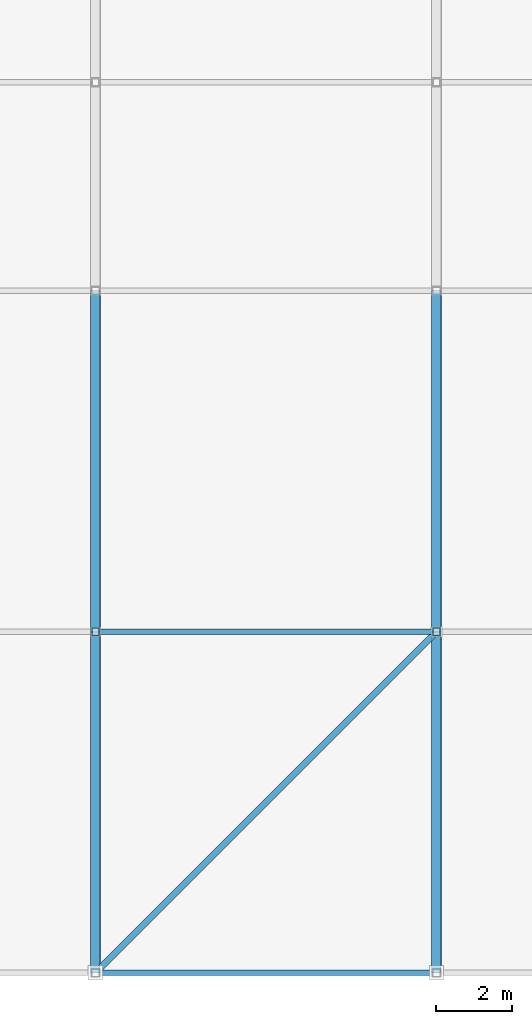
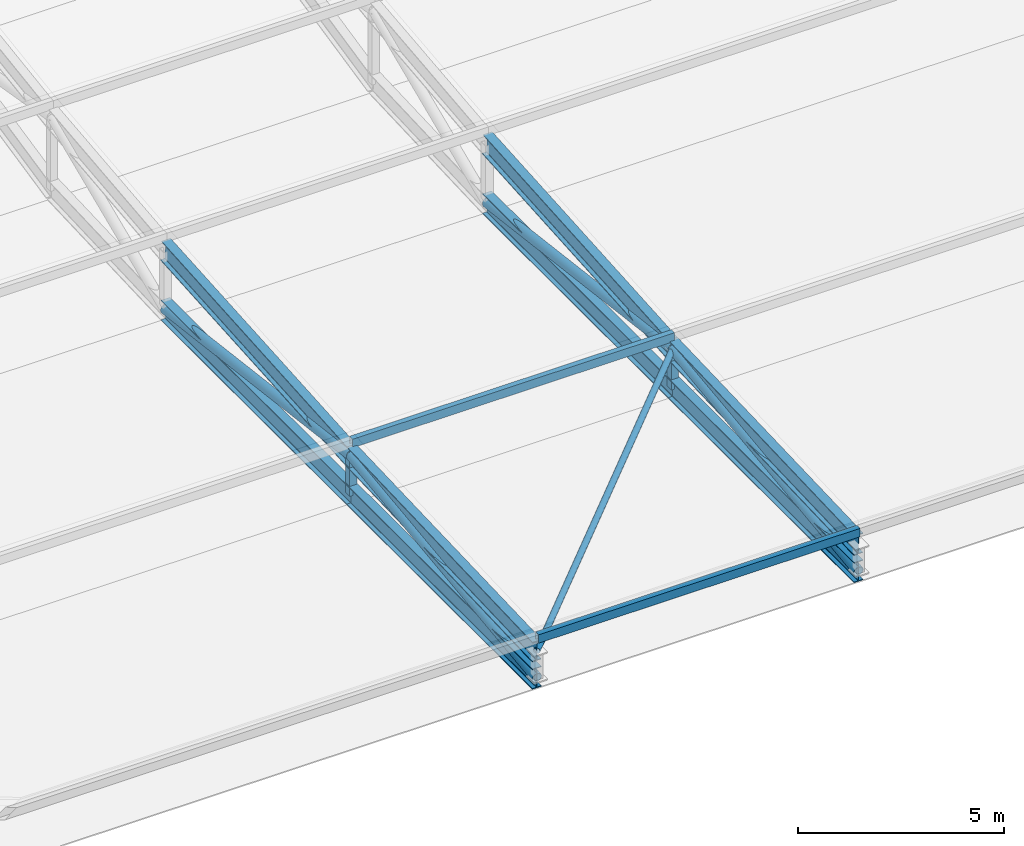
# One storey, part 18 of 114: 9 members, 8 beams.
"""IFC4 building model written with IfcOpenShell, lengths in metres."""

from ifc_helpers import new_model, si_unit, direction, frame, origin, origin_2d, place, context, subcontext, project, spatial, hollow_rectangle, hollow_circle, i_section, extrude, material, material_profile, profile_set, type_object, element, save


model = new_model("IFC4")

# Units and contexts
model_context = context("Model", 3, precision=1e-05, world=origin(), true_north=direction((0.0, 1.0)))
body_context = subcontext(model_context, "Body", "Model", "MODEL_VIEW")
ifc_project = project(units=[si_unit("LENGTHUNIT", "METRE"), si_unit("AREAUNIT", "SQUARE_METRE"), si_unit("VOLUMEUNIT", "CUBIC_METRE"), si_unit("PLANEANGLEUNIT", "RADIAN"), si_unit("MASSUNIT", "GRAM", prefix="KILO"), si_unit("THERMODYNAMICTEMPERATUREUNIT", "KELVIN"), si_unit("POWERUNIT", "WATT")], contexts=[model_context])

# Site, building, storey
site_placement = place(None, origin())
site = spatial("IfcSite", under=ifc_project, at=site_placement, CompositionType="ELEMENT")
building_placement = place(site_placement, origin())
building = spatial("IfcBuilding", under=site, at=building_placement, Name="Sindhuravela Promenade Stadium", CompositionType="ELEMENT")
storey_placement = place(building_placement, frame((0.0, 0.0, 24.0)))
storey = spatial("IfcBuildingStorey", under=building, at=storey_placement, Name="L05", CompositionType="ELEMENT", Elevation=24.0)

# Beams
ifc_material = material(Name="Steel E350 (IS 2062 E350BR)", Category="steel")
ifc_material_profile_1 = material_profile(ifc_material, i_section(OverallWidth=0.25, OverallDepth=0.60009765625, WebThickness=0.01171875, FlangeThickness=0.023681640625, FilletRadius=0.01708984375, at=origin_2d()), Name="ISWB 600")
ifc_profile_set_1 = profile_set([ifc_material_profile_1], Name="Steel E350 (IS 2062 E350BR)")
beam_type = type_object("IfcBeamType", Name="ST-BM-WB600", PredefinedType="USERDEFINED", material=ifc_profile_set_1)
beam_1_placement = place(storey_placement, frame((99.0, 9.0, 0.800048828125), z_axis=(0.0, 0.9993399990381225, 0.03632583546850814), x_axis=(-1.0, 0.0, 0.0)))
element("IfcBeam", 1, at=beam_1_placement, inside=storey, type_object=beam_type, Name="Roof truss RT-S04 top chord 1", ObjectType="ROOF TRUSS", PredefinedType="USERDEFINED", context=body_context, shape_type="SweptSolid", body=[
    extrude(i_section(OverallWidth=0.25, OverallDepth=0.60009765625, WebThickness=0.01171875, FlangeThickness=0.023681640625, FilletRadius=0.01708984375, at=origin_2d()), origin(), (0.0, 0.0, 1.0), 9.005859375),
])
beam_2_placement = place(storey_placement, frame((99.0, 9.0, 0.0), z_axis=(0.0, 1.0, 0.0), x_axis=(-1.0, 0.0, 0.0)))
element("IfcBeam", 2, at=beam_2_placement, inside=storey, type_object=beam_type, Name="Roof truss RT-S04 bottom chord 1", ObjectType="ROOF TRUSS", PredefinedType="USERDEFINED", context=body_context, shape_type="SweptSolid", body=[
    extrude(i_section(OverallWidth=0.25, OverallDepth=0.60009765625, WebThickness=0.01171875, FlangeThickness=0.023681640625, FilletRadius=0.01708984375, at=origin_2d()), origin(), (0.0, 0.0, 1.0), 9.0),
])
beam_3_placement = place(storey_placement, frame((99.0, 18.0, 1.127197265625), z_axis=(0.0, 0.9975125305940163, 0.07048937017679613), x_axis=(-1.0, 0.0, 0.0)))
element("IfcBeam", 3, at=beam_3_placement, inside=storey, type_object=beam_type, Name="Roof truss RT-S04 top chord 2", ObjectType="ROOF TRUSS", PredefinedType="USERDEFINED", context=body_context, shape_type="SweptSolid", body=[
    extrude(i_section(OverallWidth=0.25, OverallDepth=0.60009765625, WebThickness=0.01171875, FlangeThickness=0.023681640625, FilletRadius=0.01708984375, at=origin_2d()), origin(), (0.0, 0.0, 1.0), 9.0224609375),
])
beam_4_placement = place(storey_placement, frame((99.0, 18.0, 0.0), z_axis=(0.0, 1.0, 0.0), x_axis=(-1.0, 0.0, 0.0)))
element("IfcBeam", 4, at=beam_4_placement, inside=storey, type_object=beam_type, Name="Roof truss RT-S04 bottom chord 2", ObjectType="ROOF TRUSS", PredefinedType="USERDEFINED", context=body_context, shape_type="SweptSolid", body=[
    extrude(i_section(OverallWidth=0.25, OverallDepth=0.60009765625, WebThickness=0.01171875, FlangeThickness=0.023681640625, FilletRadius=0.01708984375, at=origin_2d()), origin(), (0.0, 0.0, 1.0), 9.0),
])
beam_5_placement = place(storey_placement, frame((108.0, 9.0, 0.800048828125), z_axis=(0.0, 0.9993399990381225, 0.03632583546850814), x_axis=(-1.0, 0.0, 0.0)))
element("IfcBeam", 5, at=beam_5_placement, inside=storey, type_object=beam_type, Name="Roof truss RT-S05 top chord 1", ObjectType="ROOF TRUSS", PredefinedType="USERDEFINED", context=body_context, shape_type="SweptSolid", body=[
    extrude(i_section(OverallWidth=0.25, OverallDepth=0.60009765625, WebThickness=0.01171875, FlangeThickness=0.023681640625, FilletRadius=0.01708984375, at=origin_2d()), origin(), (0.0, 0.0, 1.0), 9.005859375),
])
beam_6_placement = place(storey_placement, frame((108.0, 9.0, 0.0), z_axis=(0.0, 1.0, 0.0), x_axis=(-1.0, 0.0, 0.0)))
element("IfcBeam", 6, at=beam_6_placement, inside=storey, type_object=beam_type, Name="Roof truss RT-S05 bottom chord 1", ObjectType="ROOF TRUSS", PredefinedType="USERDEFINED", context=body_context, shape_type="SweptSolid", body=[
    extrude(i_section(OverallWidth=0.25, OverallDepth=0.60009765625, WebThickness=0.01171875, FlangeThickness=0.023681640625, FilletRadius=0.01708984375, at=origin_2d()), origin(), (0.0, 0.0, 1.0), 9.0),
])
beam_7_placement = place(storey_placement, frame((108.0, 18.0, 1.127197265625), z_axis=(0.0, 0.9975125305940163, 0.07048937017679613), x_axis=(-1.0, 0.0, 0.0)))
element("IfcBeam", 7, at=beam_7_placement, inside=storey, type_object=beam_type, Name="Roof truss RT-S05 top chord 2", ObjectType="ROOF TRUSS", PredefinedType="USERDEFINED", context=body_context, shape_type="SweptSolid", body=[
    extrude(i_section(OverallWidth=0.25, OverallDepth=0.60009765625, WebThickness=0.01171875, FlangeThickness=0.023681640625, FilletRadius=0.01708984375, at=origin_2d()), origin(), (0.0, 0.0, 1.0), 9.0224609375),
])
beam_8_placement = place(storey_placement, frame((108.0, 18.0, 0.0), z_axis=(0.0, 1.0, 0.0), x_axis=(-1.0, 0.0, 0.0)))
element("IfcBeam", 8, at=beam_8_placement, inside=storey, type_object=beam_type, Name="Roof truss RT-S05 bottom chord 2", ObjectType="ROOF TRUSS", PredefinedType="USERDEFINED", context=body_context, shape_type="SweptSolid", body=[
    extrude(i_section(OverallWidth=0.25, OverallDepth=0.60009765625, WebThickness=0.01171875, FlangeThickness=0.023681640625, FilletRadius=0.01708984375, at=origin_2d()), origin(), (0.0, 0.0, 1.0), 9.0),
])

# Members
ifc_material_profile_2 = material_profile(ifc_material, hollow_circle(Radius=0.084228515625, WallThickness=0.008056640625, at=origin_2d()), Name="CHS 168.3x8")
ifc_profile_set_2 = profile_set([ifc_material_profile_2], Name="Steel E350 (IS 2062 E350BR)")
member_type_1 = type_object("IfcMemberType", Name="ST-MB-CHS168", PredefinedType="BRACE", material=ifc_profile_set_2)
member_placement = place(storey_placement, frame((99.0, 9.0, 0.800048828125), z_axis=(0.7068733200643292, 0.7068733200643292, 0.025694722463275855), x_axis=(-0.7071067811865475, 0.7071067811865475, 0.0)))
element("IfcMember", 9, at=member_placement, inside=storey, type_object=member_type_1, Name="Roof wind brace MB03 S bay 4", PredefinedType="BRACE", context=body_context, shape_type="SweptSolid", body=[
    extrude(hollow_circle(Radius=0.084228515625, WallThickness=0.008056640625, at=origin_2d()), origin(), (0.0, 0.0, 1.0), 12.732177734375),
])
ifc_material_profile_3 = material_profile(ifc_material, hollow_circle(Radius=0.136474609375, WallThickness=0.010009765625, at=origin_2d()), Name="CHS 273.0x10")
ifc_profile_set_3 = profile_set([ifc_material_profile_3], Name="Steel E350 (IS 2062 E350BR)")
member_type_2 = type_object("IfcMemberType", Name="ST-MB-CHS273", PredefinedType="BRACE", material=ifc_profile_set_3)
for number, where, z_axis, x_axis, name in (
    (10, (99.0, 9.0, 0.0), (0.0, 0.9922480329009012, 0.12427325216752011), (-1.0, 0.0, 0.0), "Roof truss RT-S04 diagonal web 1"),
    (11, (99.0, 18.0, 1.127197265625), (0.0, 0.9922480329009012, -0.12427325216752011), (-1.0, 0.0, 0.0), "Roof truss RT-S04 diagonal web 2"),
    (12, (108.0, 9.0, 0.0), (0.0, 0.9922480329009012, 0.12427325216752011), (-1.0, 0.0, 0.0), "Roof truss RT-S05 diagonal web 1"),
    (13, (108.0, 18.0, 1.127197265625), (0.0, 0.9922480329009012, -0.12427325216752011), (-1.0, 0.0, 0.0), "Roof truss RT-S05 diagonal web 2"),
):
    element("IfcMember", number, at=place(storey_placement, frame(where, z_axis=z_axis, x_axis=x_axis)), inside=storey, type_object=member_type_2, Name=name, PredefinedType="BRACE", context=body_context, shape_type="SweptSolid", body=[
        extrude(hollow_circle(Radius=0.136474609375, WallThickness=0.010009765625, at=origin_2d()), origin(), (0.0, 0.0, 1.0), 9.0703125),
    ])
ifc_material_profile_4 = material_profile(ifc_material, hollow_rectangle(XDim=0.14990234375, YDim=0.25, WallThickness=0.010009765625, at=origin_2d()), Name="RHS 250x150x10")
ifc_profile_set_4 = profile_set([ifc_material_profile_4], Name="Steel E350 (IS 2062 E350BR)")
member_type_3 = type_object("IfcMemberType", Name="ST-MB-RHS250", PredefinedType="PURLIN", material=ifc_profile_set_4)
for number, where, z_axis, x_axis, name in (
    (14, (99.0, 9.0, 1.19189453125), (1.0, 0.0, 0.0), (0.0, 1.0, 0.0), "Roof purlin PR01 S bay 4.1"),
    (15, (99.0, 18.0, 1.51904296875), (1.0, 0.0, 0.0), (0.0, 1.0, 0.0), "Roof purlin PR01 S bay 4.2"),
):
    element("IfcMember", number, at=place(storey_placement, frame(where, z_axis=z_axis, x_axis=x_axis)), inside=storey, type_object=member_type_3, Name=name, PredefinedType="PURLIN", context=body_context, shape_type="SweptSolid", body=[
        extrude(hollow_rectangle(XDim=0.14990234375, YDim=0.25, WallThickness=0.010009765625, at=origin_2d()), origin(), (0.0, 0.0, 1.0), 9.0),
    ])
ifc_material_profile_5 = material_profile(ifc_material, hollow_rectangle(XDim=0.199951171875, YDim=0.199951171875, WallThickness=0.010009765625, at=origin_2d()), Name="SHS 200x200x10")
ifc_profile_set_5 = profile_set([ifc_material_profile_5], Name="Steel E350 (IS 2062 E350BR)")
member_type_4 = type_object("IfcMemberType", Name="ST-MB-SHS200", PredefinedType="POST", material=ifc_profile_set_5)
for number, where, z_axis, x_axis, name in (
    (16, (99.0, 18.0, 0.0), (0.0, 0.0, 1.0), (1.0, 0.0, 0.0), "Roof truss RT-S04 vertical post 2"),
    (17, (108.0, 18.0, 0.0), (0.0, 0.0, 1.0), (1.0, 0.0, 0.0), "Roof truss RT-S05 vertical post 2"),
):
    element("IfcMember", number, at=place(storey_placement, frame(where, z_axis=z_axis, x_axis=x_axis)), inside=storey, type_object=member_type_4, Name=name, PredefinedType="POST", context=body_context, shape_type="SweptSolid", body=[
        extrude(hollow_rectangle(XDim=0.199951171875, YDim=0.199951171875, WallThickness=0.010009765625, at=origin_2d()), origin(), (0.0, 0.0, 1.0), 1.127197265625),
    ])

save(model, "model.ifc")
